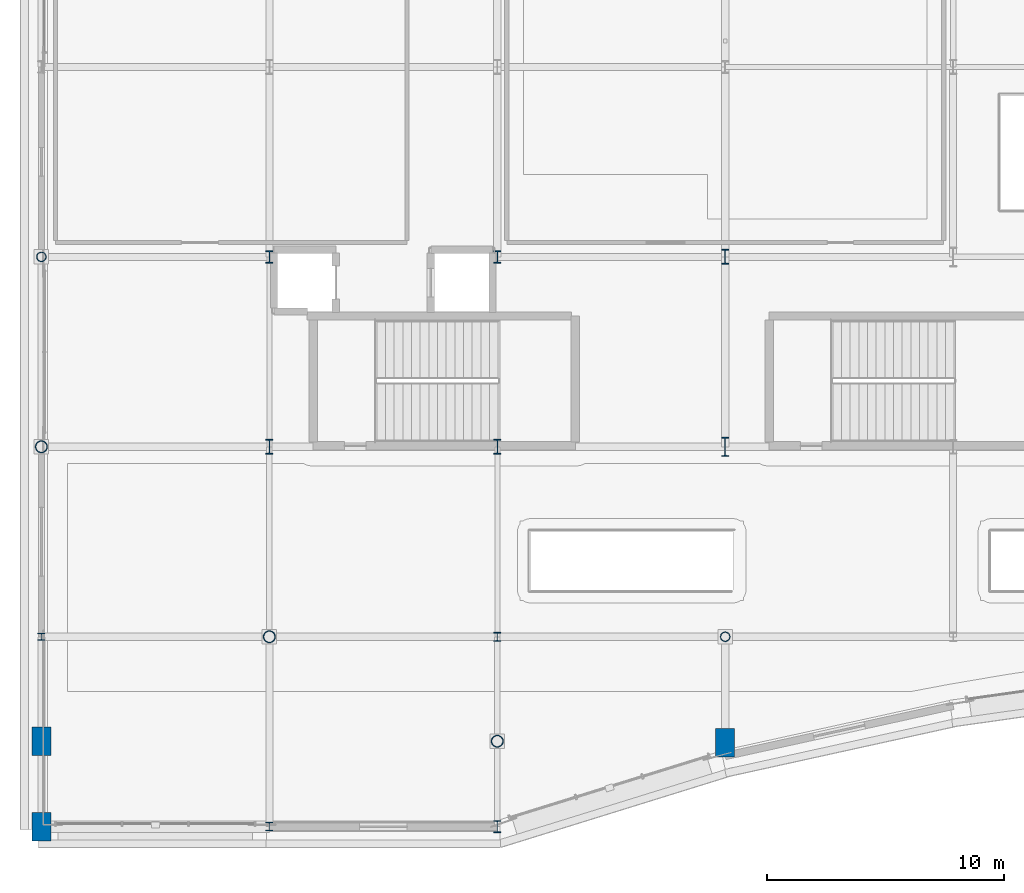
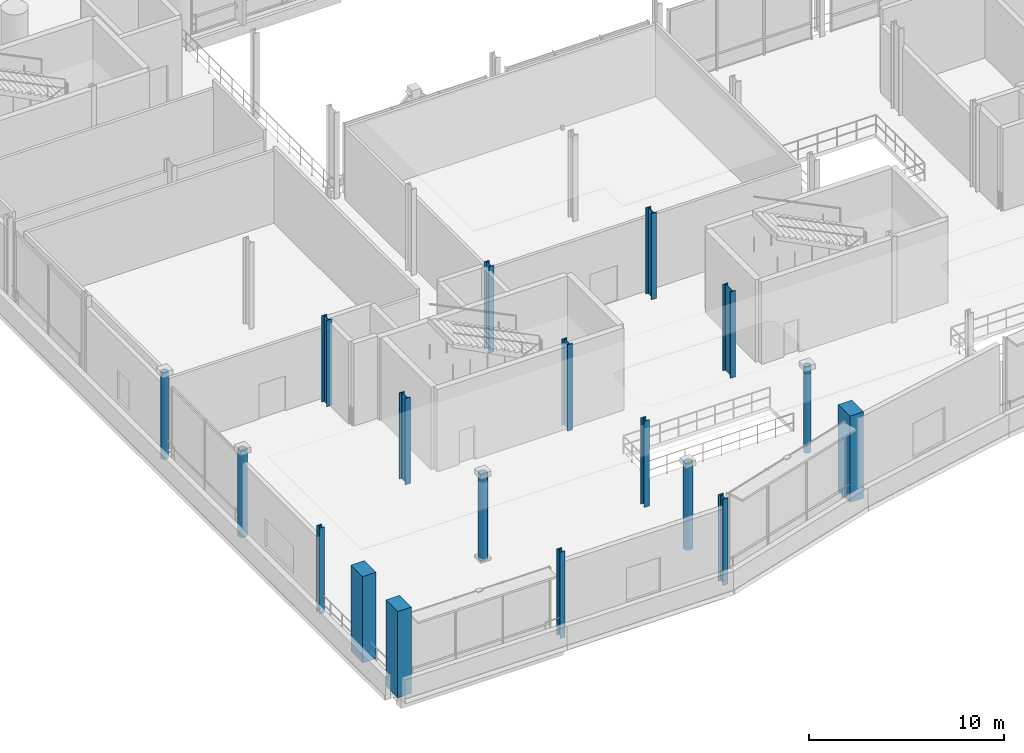
# One storey, part 1 of 129: 18 columns.
"""IFC4 building model written with IfcOpenShell, lengths in metres."""

from ifc_helpers import new_model, si_unit, direction, frame, origin, origin_2d, place, context, subcontext, project, spatial, rectangle, hollow_circle, i_section, extrude, material, material_profile, profile_set, type_object, element, save


model = new_model("IFC4")

# Units and contexts
model_context = context("Model", 3, precision=1e-05, world=origin(), true_north=direction((0.0, 1.0)))
body_context = subcontext(model_context, "Body", "Model", "MODEL_VIEW")
ifc_project = project(units=[si_unit("LENGTHUNIT", "METRE"), si_unit("AREAUNIT", "SQUARE_METRE"), si_unit("VOLUMEUNIT", "CUBIC_METRE"), si_unit("PLANEANGLEUNIT", "RADIAN"), si_unit("MASSUNIT", "GRAM", prefix="KILO")], contexts=[model_context])

# Site, building, storey
site_placement = place(None, origin())
site = spatial("IfcSite", under=ifc_project, at=site_placement, CompositionType="ELEMENT")
building_placement = place(site_placement, origin())
building = spatial("IfcBuilding", under=site, at=building_placement, Name="Danafjord Basin Convention Centre", CompositionType="ELEMENT")
storey_placement = place(building_placement, frame((0.0, 0.0, 6.0)))
storey = spatial("IfcBuildingStorey", under=building, at=storey_placement, Name="L01", CompositionType="ELEMENT", Elevation=6.0)

# Columns
ifc_material_1 = material(Name="Steel S355", Category="steel")
ifc_material_profile_1 = material_profile(ifc_material_1, hollow_circle(Radius=0.203125, WallThickness=0.02001953125, at=origin_2d()), Name="CHS 406.4x20.0")
ifc_profile_set_1 = profile_set([ifc_material_profile_1], Name="Steel S355")
column_type_1 = type_object("IfcColumnType", Name="COL-C-CHS406", PredefinedType="COLUMN", material=ifc_profile_set_1)
for number, where, z_axis, x_axis, name in (
    (1, (0.0, 24.0, 0.0), (0.0, 0.0, 1.0), (1.0, 0.0, 0.0), "L01 column C-CHS406 at (0.0, 24.0)"),
    (2, (28.800048828125, 8.0, 0.0), (0.0, 0.0, 1.0), (1.0, 0.0, 0.0), "L01 column C-CHS406 at (28.8, 8.0)"),
):
    element("IfcColumn", number, at=place(storey_placement, frame(where, z_axis=z_axis, x_axis=x_axis)), inside=storey, type_object=column_type_1, Name=name, PredefinedType="COLUMN", context=body_context, shape_type="SweptSolid", body=[
        extrude(hollow_circle(Radius=0.203125, WallThickness=0.02001953125, at=origin_2d()), origin(), (0.0, 0.0, 1.0), 5.39990234375),
    ])
ifc_material_profile_2 = material_profile(ifc_material_1, hollow_circle(Radius=0.25390625, WallThickness=0.02490234375, at=origin_2d()), Name="CHS 508.0x25.0")
ifc_profile_set_2 = profile_set([ifc_material_profile_2], Name="Steel S355")
column_type_2 = type_object("IfcColumnType", Name="COL-C-CHS508", PredefinedType="COLUMN", material=ifc_profile_set_2)
for number, where, z_axis, x_axis, name in (
    (3, (0.0, 16.0, 0.0), (0.0, 0.0, 1.0), (1.0, 0.0, 0.0), "L01 column C-CHS508 at (0.0, 16.0)"),
    (4, (9.60009765625, 8.0, 0.0), (0.0, 0.0, 1.0), (1.0, 0.0, 0.0), "L01 column C-CHS508 at (9.6, 8.0)"),
    (5, (19.199951171875, 3.60009765625, 0.0), (0.0, 0.0, 1.0), (1.0, 0.0, 0.0), "L01 column C-CHS508 at (19.2, 3.6)"),
):
    element("IfcColumn", number, at=place(storey_placement, frame(where, z_axis=z_axis, x_axis=x_axis)), inside=storey, type_object=column_type_2, Name=name, PredefinedType="COLUMN", context=body_context, shape_type="SweptSolid", body=[
        extrude(hollow_circle(Radius=0.25390625, WallThickness=0.02490234375, at=origin_2d()), origin(), (0.0, 0.0, 1.0), 5.39990234375),
    ])
ifc_material_profile_3 = material_profile(ifc_material_1, i_section(OverallWidth=0.300048828125, OverallDepth=0.300048828125, WebThickness=0.010986328125, FlangeThickness=0.01904296875, FilletRadius=0.027099609375, at=origin_2d()), Name="HEB 300")
ifc_profile_set_3 = profile_set([ifc_material_profile_3], Name="Steel S355")
column_type_3 = type_object("IfcColumnType", Name="COL-C-HEB300", PredefinedType="COLUMN", material=ifc_profile_set_3)
column_1_placement = place(storey_placement, frame((0.0, 8.0, 0.0), z_axis=(0.0, 0.0, 1.0), x_axis=(1.0, 0.0, 0.0)))
element("IfcColumn", 6, at=column_1_placement, inside=storey, type_object=column_type_3, Name="L01 column C-HEB300 at (0.0, 8.0)", PredefinedType="COLUMN", context=body_context, shape_type="SweptSolid", body=[
    extrude(i_section(OverallWidth=0.300048828125, OverallDepth=0.300048828125, WebThickness=0.010986328125, FlangeThickness=0.01904296875, FilletRadius=0.027099609375, at=origin_2d()), origin(), (0.0, 0.0, 1.0), 5.39990234375),
])
ifc_material_profile_4 = material_profile(ifc_material_1, i_section(OverallWidth=0.300048828125, OverallDepth=0.360107421875, WebThickness=0.012451171875, FlangeThickness=0.0224609375, FilletRadius=0.027099609375, at=origin_2d()), Name="HEB 360")
ifc_profile_set_4 = profile_set([ifc_material_profile_4], Name="Steel S355")
column_type_4 = type_object("IfcColumnType", Name="COL-C-HEB360", PredefinedType="COLUMN", material=ifc_profile_set_4)
for number, where, z_axis, x_axis, name in (
    (7, (9.60009765625, 0.0, 0.0), (0.0, 0.0, 1.0), (1.0, 0.0, 0.0), "L01 column C-HEB360 at (9.6, 0.0)"),
    (8, (19.199951171875, 8.0, 0.0), (0.0, 0.0, 1.0), (1.0, 0.0, 0.0), "L01 column C-HEB360 at (19.2, 8.0)"),
):
    element("IfcColumn", number, at=place(storey_placement, frame(where, z_axis=z_axis, x_axis=x_axis)), inside=storey, type_object=column_type_4, Name=name, PredefinedType="COLUMN", context=body_context, shape_type="SweptSolid", body=[
        extrude(i_section(OverallWidth=0.300048828125, OverallDepth=0.360107421875, WebThickness=0.012451171875, FlangeThickness=0.0224609375, FilletRadius=0.027099609375, at=origin_2d()), origin(), (0.0, 0.0, 1.0), 5.39990234375),
    ])
ifc_material_profile_5 = material_profile(ifc_material_1, i_section(OverallWidth=0.300048828125, OverallDepth=0.5, WebThickness=0.014404296875, FlangeThickness=0.028076171875, FilletRadius=0.027099609375, at=origin_2d()), Name="HEB 500")
ifc_profile_set_5 = profile_set([ifc_material_profile_5], Name="Steel S355")
column_type_5 = type_object("IfcColumnType", Name="COL-C-HEB500", PredefinedType="COLUMN", material=ifc_profile_set_5)
column_2_placement = place(storey_placement, frame((19.199951171875, 0.0, 0.0), z_axis=(0.0, 0.0, 1.0), x_axis=(1.0, 0.0, 0.0)))
element("IfcColumn", 9, at=column_2_placement, inside=storey, type_object=column_type_5, Name="L01 column C-HEB500 at (19.2, 0.0)", PredefinedType="COLUMN", context=body_context, shape_type="SweptSolid", body=[
    extrude(i_section(OverallWidth=0.300048828125, OverallDepth=0.5, WebThickness=0.014404296875, FlangeThickness=0.028076171875, FilletRadius=0.027099609375, at=origin_2d()), origin(), (0.0, 0.0, 1.0), 5.39990234375),
])
ifc_material_profile_6 = material_profile(ifc_material_1, i_section(OverallWidth=0.305908203125, OverallDepth=0.52392578125, WebThickness=0.02099609375, FlangeThickness=0.0400390625, FilletRadius=0.027099609375, at=origin_2d()), Name="HEM 500")
ifc_profile_set_6 = profile_set([ifc_material_profile_6], Name="Steel S355")
column_type_6 = type_object("IfcColumnType", Name="COL-C-HEM500", PredefinedType="COLUMN", material=ifc_profile_set_6)
for number, where, z_axis, x_axis, name in (
    (10, (9.60009765625, 24.0, 0.0), (0.0, 0.0, 1.0), (1.0, 0.0, 0.0), "L01 column C-HEM500 at (9.6, 24.0)"),
    (11, (19.199951171875, 24.0, 0.0), (0.0, 0.0, 1.0), (1.0, 0.0, 0.0), "L01 column C-HEM500 at (19.2, 24.0)"),
):
    element("IfcColumn", number, at=place(storey_placement, frame(where, z_axis=z_axis, x_axis=x_axis)), inside=storey, type_object=column_type_6, Name=name, PredefinedType="COLUMN", context=body_context, shape_type="SweptSolid", body=[
        extrude(i_section(OverallWidth=0.305908203125, OverallDepth=0.52392578125, WebThickness=0.02099609375, FlangeThickness=0.0400390625, FilletRadius=0.027099609375, at=origin_2d()), origin(), (0.0, 0.0, 1.0), 5.39990234375),
    ])
ifc_material_profile_7 = material_profile(ifc_material_1, i_section(OverallWidth=0.304931640625, OverallDepth=0.6201171875, WebThickness=0.02099609375, FlangeThickness=0.0400390625, FilletRadius=0.027099609375, at=origin_2d()), Name="HEM 600")
ifc_profile_set_7 = profile_set([ifc_material_profile_7], Name="Steel S355")
column_type_7 = type_object("IfcColumnType", Name="COL-C-HEM600", PredefinedType="COLUMN", material=ifc_profile_set_7)
for number, where, z_axis, x_axis, name in (
    (12, (9.60009765625, 16.0, 0.0), (0.0, 0.0, 1.0), (1.0, 0.0, 0.0), "L01 column C-HEM600 at (9.6, 16.0)"),
    (13, (19.199951171875, 16.0, 0.0), (0.0, 0.0, 1.0), (1.0, 0.0, 0.0), "L01 column C-HEM600 at (19.2, 16.0)"),
    (14, (28.800048828125, 24.0, 0.0), (0.0, 0.0, 1.0), (1.0, 0.0, 0.0), "L01 column C-HEM600 at (28.8, 24.0)"),
):
    element("IfcColumn", number, at=place(storey_placement, frame(where, z_axis=z_axis, x_axis=x_axis)), inside=storey, type_object=column_type_7, Name=name, PredefinedType="COLUMN", context=body_context, shape_type="SweptSolid", body=[
        extrude(i_section(OverallWidth=0.304931640625, OverallDepth=0.6201171875, WebThickness=0.02099609375, FlangeThickness=0.0400390625, FilletRadius=0.027099609375, at=origin_2d()), origin(), (0.0, 0.0, 1.0), 5.39990234375),
    ])
ifc_material_profile_8 = material_profile(ifc_material_1, i_section(OverallWidth=0.302978515625, OverallDepth=0.81396484375, WebThickness=0.02099609375, FlangeThickness=0.0400390625, FilletRadius=0.030029296875, at=origin_2d()), Name="HEM 800")
ifc_profile_set_8 = profile_set([ifc_material_profile_8], Name="Steel S355")
column_type_8 = type_object("IfcColumnType", Name="COL-C-HEM800", PredefinedType="COLUMN", material=ifc_profile_set_8)
column_3_placement = place(storey_placement, frame((28.800048828125, 16.0, 0.0), z_axis=(0.0, 0.0, 1.0), x_axis=(1.0, 0.0, 0.0)))
element("IfcColumn", 15, at=column_3_placement, inside=storey, type_object=column_type_8, Name="L01 column C-HEM800 at (28.8, 16.0)", PredefinedType="COLUMN", context=body_context, shape_type="SweptSolid", body=[
    extrude(i_section(OverallWidth=0.302978515625, OverallDepth=0.81396484375, WebThickness=0.02099609375, FlangeThickness=0.0400390625, FilletRadius=0.030029296875, at=origin_2d()), origin(), (0.0, 0.0, 1.0), 5.39990234375),
])
ifc_material_2 = material(Name="Precast concrete C45/55", Category="concrete")
ifc_material_profile_9 = material_profile(ifc_material_2, rectangle(XDim=0.800048828125, YDim=1.199951171875, at=origin_2d()), Name="RC 1200x800")
ifc_profile_set_9 = profile_set([ifc_material_profile_9], Name="Precast concrete C45/55")
column_type_9 = type_object("IfcColumnType", Name="COL-C-PIL1200", PredefinedType="PILASTER", material=ifc_profile_set_9)
for number, where, z_axis, x_axis, name in (
    (16, (0.0, 0.0, 0.0), (0.0, 0.0, 1.0), (1.0, 0.0, 0.0), "L01 column C-PIL1200 at (0.0, 0.0)"),
    (17, (28.800048828125, 3.530029296875, 0.0), (0.0, 0.0, 1.0), (1.0, 0.0, 0.0), "L01 column C-PIL1200 at (28.8, 3.5)"),
    (18, (0.0, 3.60009765625, 0.0), (0.0, 0.0, 1.0), (1.0, 0.0, 0.0), "L01 column C-PIL1200 at (0.0, 3.6)"),
):
    element("IfcColumn", number, at=place(storey_placement, frame(where, z_axis=z_axis, x_axis=x_axis)), inside=storey, type_object=column_type_9, Name=name, PredefinedType="PILASTER", context=body_context, shape_type="SweptSolid", body=[
        extrude(rectangle(XDim=0.800048828125, YDim=1.199951171875, at=origin_2d()), origin(), (0.0, 0.0, 1.0), 5.39990234375),
    ])

save(model, "model.ifc")
